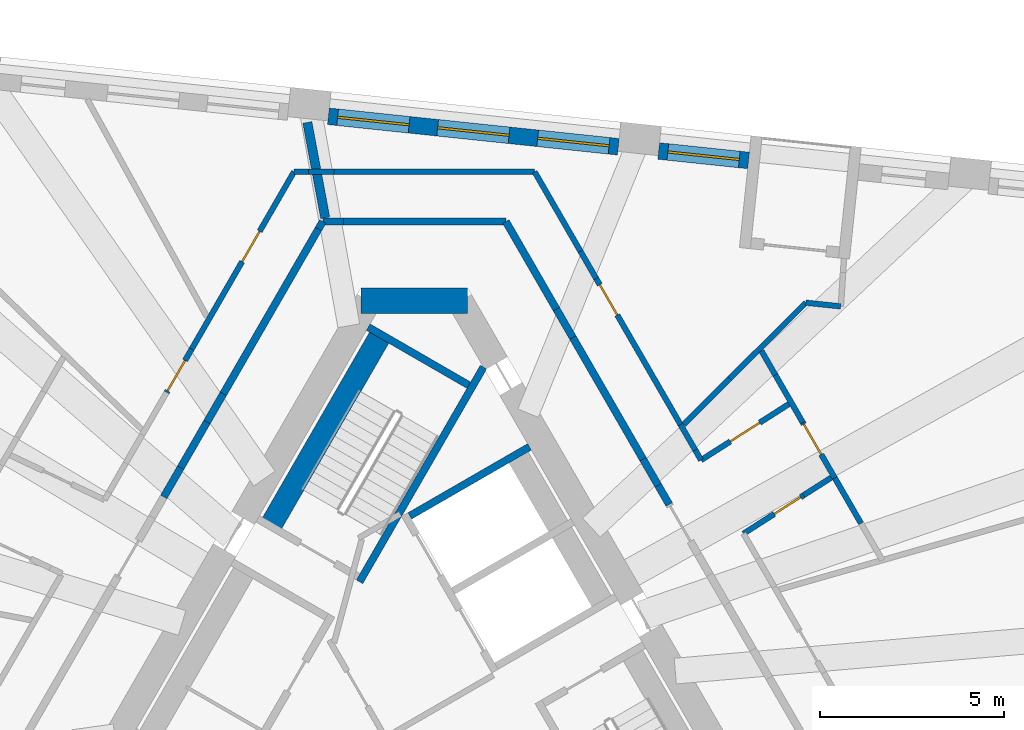
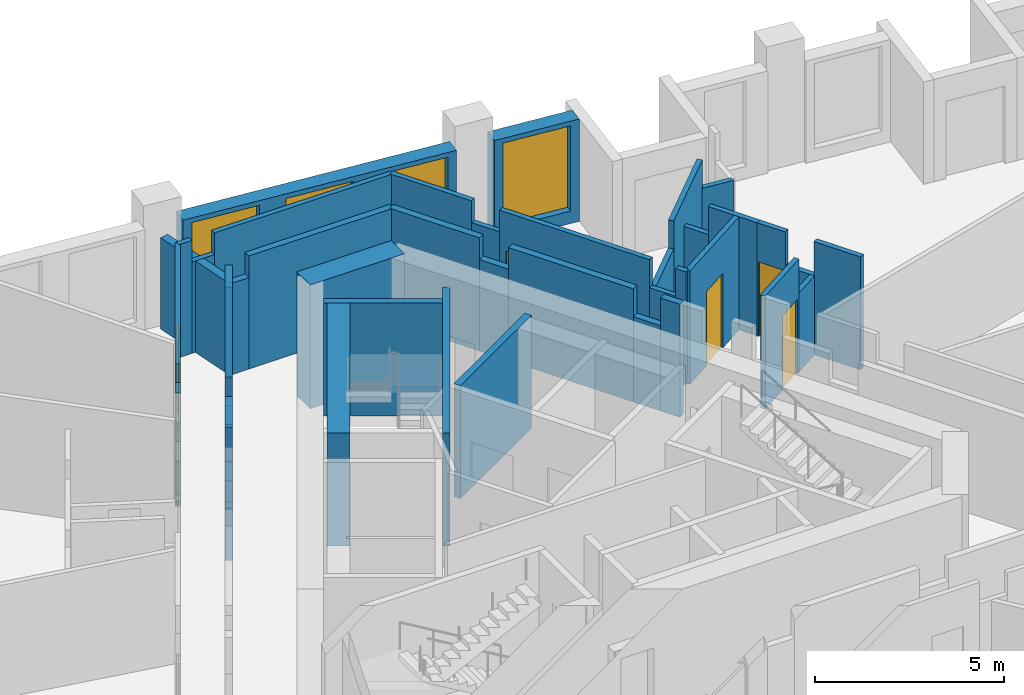
# One storey, part 7 of 11: 40 walls, 6 doors, 4 windows, 10 openings.
"""IFC4 building model written with IfcOpenShell, lengths in metres."""

from ifc_helpers import new_model, si_unit, direction, frame, frame_2d, origin, place, context, subcontext, project, spatial, polyline, rectangle, outline, extrude, material, layer, layer_set, type_object, element, fill, save


model = new_model("IFC4")

# Units and contexts
model_context = context("Model", 3, precision=1e-05, world=origin(), true_north=direction((0.0, 1.0)))
body_context = subcontext(model_context, "Body", "Model", "MODEL_VIEW")
ifc_project = project(units=[si_unit("LENGTHUNIT", "METRE"), si_unit("AREAUNIT", "SQUARE_METRE"), si_unit("VOLUMEUNIT", "CUBIC_METRE"), si_unit("PLANEANGLEUNIT", "RADIAN"), si_unit("MASSUNIT", "GRAM", prefix="KILO")], contexts=[model_context])

# Site, building, storey
site_placement = place(None, origin())
site = spatial("IfcSite", under=ifc_project, at=site_placement, CompositionType="ELEMENT")
building_placement = place(site_placement, origin())
building = spatial("IfcBuilding", under=site, at=building_placement, Name="Tramontana Tower", CompositionType="ELEMENT")
storey_placement = place(building_placement, frame((0.0, 0.0, 257.199951171875)))
storey = spatial("IfcBuildingStorey", under=building, at=storey_placement, Name="L60", CompositionType="ELEMENT", Elevation=257.199951171875)

# Walls
ifc_material_1 = material(Name="Concrete 70 MPa", Category="concrete")
ifc_layer_1 = layer(ifc_material_1, 0.699951171875)
ifc_layer_set_1 = layer_set([ifc_layer_1], Name="Core wall 700 70 MPa")
wall_type_1 = type_object("IfcWallType", Name="Core wall 700 70 MPa", PredefinedType="SHEAR", material=ifc_layer_set_1)
wall_1_placement = place(storey_placement, frame((1.443359375, 10.64990234375, 0.0), z_axis=(0.0, 0.0, 1.0), x_axis=(-1.0, 0.0, 0.0)))
element("IfcWall", 1, at=wall_1_placement, inside=storey, type_object=wall_type_1, Name="Core wall C0 L60", PredefinedType="SHEAR", context=body_context, shape_type="SweptSolid", body=[
    extrude(rectangle(XDim=2.88671875, YDim=0.699951171875, at=frame_2d((1.443359375, 0.0))), origin(), (0.0, 0.0, 1.0), 4.0),
])
ifc_material_2 = material(Name="Blockwork", Category="masonry")
ifc_layer_2 = layer(ifc_material_2, 0.199951171875)
ifc_layer_set_2 = layer_set([ifc_layer_2], Name="ENTRY WALL 200")
wall_type_2 = type_object("IfcWallType", Name="ENTRY WALL 200", PredefinedType="SOLIDWALL", material=ifc_layer_set_2)
wall_2_placement = place(storey_placement, frame((-6.79541015625, 5.329833984375, 0.0), z_axis=(0.0, 0.0, 1.0), x_axis=(0.499975954304, 0.866039286129, 0.0)))
element("IfcWall", 2, at=wall_2_placement, inside=storey, type_object=wall_type_2, Name="Wall v61-ew3-7", PredefinedType="SOLIDWALL", context=body_context, shape_type="SweptSolid", body=[
    extrude(rectangle(XDim=0.9169921875, YDim=0.199951171875, at=frame_2d((0.45849609375, 0.0))), origin(), (0.0, 0.0, 1.0), 2.550048828125),
])
wall_3_placement = place(storey_placement, frame((-6.3369140625, 6.1240234375, 0.0), z_axis=(0.0, 0.0, 1.0), x_axis=(0.499904796234, 0.866080362727, 0.0)))
element("IfcWall", 3, at=wall_3_placement, inside=storey, type_object=wall_type_2, Name="Wall v61-ew3-8", PredefinedType="SOLIDWALL", context=body_context, shape_type="SweptSolid", body=[
    extrude(rectangle(XDim=1.429443359375, YDim=0.199951171875, at=frame_2d((0.71484375, 0.0))), origin(), (0.0, 0.0, 1.0), 3.650146484375),
])
wall_4_placement = place(storey_placement, frame((-5.622314453125, 7.362060546875, 0.0), z_axis=(0.0, 0.0, 1.0), x_axis=(0.500121072013, 0.86595549154, 0.0)))
element("IfcWall", 4, at=wall_4_placement, inside=storey, type_object=wall_type_2, Name="Wall v61-ew3-9", PredefinedType="SOLIDWALL", context=body_context, shape_type="SweptSolid", body=[
    extrude(rectangle(XDim=0.883544921875, YDim=0.199951171875, at=frame_2d((0.44189453125, 0.0))), origin(), (0.0, 0.0, 1.0), 2.75),
])
wall_5_placement = place(storey_placement, frame((-5.180419921875, 8.127197265625, 0.0), z_axis=(0.0, 0.0, 1.0), x_axis=(0.499995433041, 0.866028040503, 0.0)))
element("IfcWall", 5, at=wall_5_placement, inside=storey, type_object=wall_type_2, Name="Wall v61-ew3-10", PredefinedType="SOLIDWALL", context=body_context, shape_type="SweptSolid", body=[
    extrude(rectangle(XDim=5.1611328125, YDim=0.199951171875, at=frame_2d((2.58056640625, 0.0))), origin(), (0.0, 0.0, 1.0), 3.650146484375),
])
wall_6_placement = place(storey_placement, frame((-2.599853515625, 12.596923828125, 0.0), z_axis=(0.0, 0.0, 1.0), x_axis=(0.49972245349, 0.866185586049, 0.0)))
element("IfcWall", 6, at=wall_6_placement, inside=storey, type_object=wall_type_2, Name="Wall v61-ew3-11", PredefinedType="SOLIDWALL", context=body_context, shape_type="SweptSolid", body=[
    extrude(rectangle(XDim=0.234619140625, YDim=0.199951171875, at=frame_2d((0.1171875, 0.0))), origin(), (0.0, 0.0, 1.0), 2.949951171875),
])
wall_7_placement = place(storey_placement, frame((-2.482666015625, 12.800048828125, 0.0), z_axis=(0.0, 0.0, 1.0), x_axis=(1.0, 0.0, 0.0)))
element("IfcWall", 7, at=wall_7_placement, inside=storey, type_object=wall_type_2, Name="Wall v61-ew4-0", PredefinedType="SOLIDWALL", context=body_context, shape_type="SweptSolid", body=[
    extrude(rectangle(XDim=0.5576171875, YDim=0.199951171875, at=frame_2d((0.27880859375, 0.0))), origin(), (0.0, 0.0, 1.0), 2.949951171875),
])
wall_8_placement = place(storey_placement, frame((-1.925048828125, 12.800048828125, 0.0), z_axis=(0.0, 0.0, 1.0), x_axis=(1.0, 0.0, 0.0)))
element("IfcWall", 8, at=wall_8_placement, inside=storey, type_object=wall_type_2, Name="Wall v61-ew4-1", PredefinedType="SOLIDWALL", context=body_context, shape_type="SweptSolid", body=[
    extrude(rectangle(XDim=4.40771484375, YDim=0.199951171875, at=frame_2d((2.203857421875, 0.0))), origin(), (0.0, 0.0, 1.0), 3.650146484375),
])
wall_9_placement = place(storey_placement, frame((2.482666015625, 12.800048828125, 0.0), z_axis=(0.0, 0.0, 1.0), x_axis=(0.499956000529, -0.8660508054, 0.0)))
element("IfcWall", 9, at=wall_9_placement, inside=storey, type_object=wall_type_2, Name="Wall v61-ew5-0", PredefinedType="SOLIDWALL", context=body_context, shape_type="SweptSolid", body=[
    extrude(rectangle(XDim=2.744873046875, YDim=0.199951171875, at=frame_2d((1.37255859375, 0.0))), origin(), (0.0, 0.0, 1.0), 3.650146484375),
])
wall_10_placement = place(storey_placement, frame((3.85498046875, 10.4228515625, 0.0), z_axis=(0.0, 0.0, 1.0), x_axis=(0.500135429527, -0.86594719939, 0.0)))
element("IfcWall", 10, at=wall_10_placement, inside=storey, type_object=wall_type_2, Name="Wall v61-ew5-1", PredefinedType="SOLIDWALL", context=body_context, shape_type="SweptSolid", body=[
    extrude(rectangle(XDim=0.886962890625, YDim=0.199951171875, at=frame_2d((0.443359375, 0.0))), origin(), (0.0, 0.0, 1.0), 2.949951171875),
])
wall_11_placement = place(storey_placement, frame((4.298583984375, 9.65478515625, 0.0), z_axis=(0.0, 0.0, 1.0), x_axis=(0.499997905474, -0.866026613056, 0.0)))
element("IfcWall", 11, at=wall_11_placement, inside=storey, type_object=wall_type_2, Name="Wall v61-ew5-2", PredefinedType="SOLIDWALL", context=body_context, shape_type="SweptSolid", body=[
    extrude(rectangle(XDim=3.810546875, YDim=0.199951171875, at=frame_2d((1.9052734375, 0.0))), origin(), (0.0, 0.0, 1.0), 3.650146484375),
])
wall_12_placement = place(storey_placement, frame((6.203857421875, 6.354736328125, 0.0), z_axis=(0.0, 0.0, 1.0), x_axis=(0.499911126926, -0.866076708598, 0.0)))
element("IfcWall", 12, at=wall_12_placement, inside=storey, type_object=wall_type_2, Name="Wall v61-ew5-3", PredefinedType="SOLIDWALL", context=body_context, shape_type="SweptSolid", body=[
    extrude(rectangle(XDim=0.821533203125, YDim=0.199951171875, at=frame_2d((0.41064453125, 0.0))), origin(), (0.0, 0.0, 1.0), 2.75),
])
wall_13_placement = place(storey_placement, frame((6.614501953125, 5.643310546875, 0.0), z_axis=(0.0, 0.0, 1.0), x_axis=(0.500169019818, -0.865927798153, 0.0)))
element("IfcWall", 13, at=wall_13_placement, inside=storey, type_object=wall_type_2, Name="Wall v61-ew5-4", PredefinedType="SOLIDWALL", context=body_context, shape_type="SweptSolid", body=[
    extrude(rectangle(XDim=0.599365234375, YDim=0.199951171875, at=frame_2d((0.2998046875, 0.0))), origin(), (0.0, 0.0, 1.0), 3.650146484375),
])

# Wall, opening, window
ifc_material_3 = material(Name="Precast concrete 60 MPa", Category="concrete")
ifc_layer_3 = layer(ifc_material_3, 0.449951171875)
ifc_layer_set_3 = layer_set([ifc_layer_3], Name="Precast concrete 60 MPa, 450 mm")
wall_type_3 = type_object("IfcWallType", Name="EW1 Stone-faced precast wall 450", PredefinedType="SOLIDWALL", material=ifc_layer_set_3)
wall_14_placement = place(storey_placement, frame((9.06640625, 14.45654296875, 0.0), z_axis=(0.0, 0.0, 1.0), x_axis=(-0.994521805438, 0.10452931889, 0.0)))
wall_14 = element("IfcWall", 14, at=wall_14_placement, inside=storey, type_object=wall_type_3, Name="External wall L60 face 2 bay 2", PredefinedType="SOLIDWALL", context=body_context, shape_type="SweptSolid", body=[
    extrude(rectangle(XDim=2.452392578125, YDim=0.449951171875, at=frame_2d((1.22607421875, 0.0))), origin(), (0.0, 0.0, 1.0), 3.300048828125),
])
opening_1_placement = place(wall_14_placement, frame((0.251220703125, 0.0, 0.39990234375)))
opening_1 = element("IfcOpeningElement", 15, at=opening_1_placement, cuts=wall_14, Name="Opening M3", PredefinedType="OPENING", context=body_context, shape_type="SweptSolid", body=[
    extrude(rectangle(XDim=1.949951171875, YDim=2.75, at=frame_2d((0.97509765625, 1.375))), frame((0.0, 0.23486328125, 0.0), z_axis=(0.0, -1.0, 0.0), x_axis=(1.0, 0.0, 0.0)), (0.0, 0.0, 1.0), 0.469970703125),
])
ifc_material_4 = material(Name="Aluminum frame, double glazing unit", Category="aluminium")
window_type = type_object("IfcWindowType", Name="M3 Window 1.95 x 2.75", PartitioningType="SINGLE_PANEL", PredefinedType="WINDOW", material=ifc_material_4)
window_1_placement = place(opening_1_placement, origin())
window_1 = element("IfcWindow", 16, at=window_1_placement, inside=storey, type_object=window_type, Name="Window M3 L60 face 2 module 6", OverallHeight=2.75, OverallWidth=1.949951171875, PartitioningType="SINGLE_PANEL", PredefinedType="WINDOW", context=body_context, shape_type="SweptSolid", body=[
    extrude(rectangle(XDim=1.949951171875, YDim=2.75, at=frame_2d((0.97509765625, 1.375))), frame((0.0, 0.030029296875, 0.0), z_axis=(0.0, -1.0, 0.0), x_axis=(1.0, 0.0, 0.0)), (0.0, 0.0, 1.0), 0.06005859375),
])
fill(opening_1, window_1)

# Wall, openings, windows
wall_15_placement = place(storey_placement, frame((5.53369140625, 14.827880859375, 0.0), z_axis=(0.0, 0.0, 1.0), x_axis=(-0.994522865711, 0.104519230663, 0.0)))
wall_15 = element("IfcWall", 17, at=wall_15_placement, inside=storey, type_object=wall_type_3, Name="External wall L60 face 2 bay 3", PredefinedType="SOLIDWALL", context=body_context, shape_type="SweptSolid", body=[
    extrude(rectangle(XDim=7.90673828125, YDim=0.449951171875, at=frame_2d((3.953369140625, 0.0))), origin(), (0.0, 0.0, 1.0), 3.300048828125),
])
opening_2_placement = place(wall_15_placement, frame((0.251220703125, 0.0, 0.39990234375)))
opening_2 = element("IfcOpeningElement", 18, at=opening_2_placement, cuts=wall_15, Name="Opening M3", PredefinedType="OPENING", context=body_context, shape_type="SweptSolid", body=[
    extrude(rectangle(XDim=1.949951171875, YDim=2.75, at=frame_2d((0.97509765625, 1.375))), frame((0.0, 0.23486328125, 0.0), z_axis=(0.0, -1.0, 0.0), x_axis=(1.0, 0.0, 0.0)), (0.0, 0.0, 1.0), 0.469970703125),
])
opening_3_placement = place(wall_15_placement, frame((2.978271484375, 0.0, 0.39990234375)))
opening_3 = element("IfcOpeningElement", 19, at=opening_3_placement, cuts=wall_15, Name="Opening M3", PredefinedType="OPENING", context=body_context, shape_type="SweptSolid", body=[
    extrude(rectangle(XDim=1.949951171875, YDim=2.75, at=frame_2d((0.97509765625, 1.375))), frame((0.0, 0.23486328125, 0.0), z_axis=(0.0, -1.0, 0.0), x_axis=(1.0, 0.0, 0.0)), (0.0, 0.0, 1.0), 0.469970703125),
])
opening_4_placement = place(wall_15_placement, frame((5.70556640625, 0.0, 0.39990234375)))
opening_4 = element("IfcOpeningElement", 20, at=opening_4_placement, cuts=wall_15, Name="Opening M3", PredefinedType="OPENING", context=body_context, shape_type="SweptSolid", body=[
    extrude(rectangle(XDim=1.949951171875, YDim=2.75, at=frame_2d((0.97509765625, 1.375))), frame((0.0, 0.23486328125, 0.0), z_axis=(0.0, -1.0, 0.0), x_axis=(1.0, 0.0, 0.0)), (0.0, 0.0, 1.0), 0.469970703125),
])
window_2_placement = place(opening_2_placement, origin())
window_2 = element("IfcWindow", 21, at=window_2_placement, inside=storey, type_object=window_type, Name="Window M3 L60 face 2 module 7", OverallHeight=2.75, OverallWidth=1.949951171875, PartitioningType="SINGLE_PANEL", PredefinedType="WINDOW", context=body_context, shape_type="SweptSolid", body=[
    extrude(rectangle(XDim=1.949951171875, YDim=2.75, at=frame_2d((0.97509765625, 1.375))), frame((0.0, 0.030029296875, 0.0), z_axis=(0.0, -1.0, 0.0), x_axis=(1.0, 0.0, 0.0)), (0.0, 0.0, 1.0), 0.06005859375),
])
fill(opening_2, window_2)
window_3_placement = place(opening_3_placement, origin())
window_3 = element("IfcWindow", 22, at=window_3_placement, inside=storey, type_object=window_type, Name="Window M3 L60 face 2 module 8", OverallHeight=2.75, OverallWidth=1.949951171875, PartitioningType="SINGLE_PANEL", PredefinedType="WINDOW", context=body_context, shape_type="SweptSolid", body=[
    extrude(rectangle(XDim=1.949951171875, YDim=2.75, at=frame_2d((0.97509765625, 1.375))), frame((0.0, 0.030029296875, 0.0), z_axis=(0.0, -1.0, 0.0), x_axis=(1.0, 0.0, 0.0)), (0.0, 0.0, 1.0), 0.06005859375),
])
fill(opening_3, window_3)
window_4_placement = place(opening_4_placement, origin())
window_4 = element("IfcWindow", 23, at=window_4_placement, inside=storey, type_object=window_type, Name="Window M3 L60 face 2 module 9", OverallHeight=2.75, OverallWidth=1.949951171875, PartitioningType="SINGLE_PANEL", PredefinedType="WINDOW", context=body_context, shape_type="SweptSolid", body=[
    extrude(rectangle(XDim=1.949951171875, YDim=2.75, at=frame_2d((0.97509765625, 1.375))), frame((0.0, 0.030029296875, 0.0), z_axis=(0.0, -1.0, 0.0), x_axis=(1.0, 0.0, 0.0)), (0.0, 0.0, 1.0), 0.06005859375),
])
fill(opening_4, window_4)

# Wall, opening, door
ifc_material_5 = material(Name="Gypsum board partition")
ifc_layer_4 = layer(ifc_material_5, 0.14990234375)
ifc_layer_set_4 = layer_set([ifc_layer_4], Name="PARTITION 150")
wall_type_4 = type_object("IfcWallType", Name="PARTITION 150", PredefinedType="PARTITIONING", material=ifc_layer_set_4)
wall_16_placement = place(storey_placement, frame((-6.717041015625, 8.16552734375, 0.0), z_axis=(0.0, 0.0, 1.0), x_axis=(0.499941024108, 0.866059450854, 0.0)))
wall_16 = element("IfcWall", 24, at=wall_16_placement, inside=storey, type_object=wall_type_4, Name="Wall v61-pw09-4", PredefinedType="PARTITIONING", context=body_context, shape_type="SweptSolid", body=[
    extrude(outline(polyline([(0.0, 0.0), (1.353759765625, 0.0), (1.353759765625, 2.75), (0.497802734375, 2.75), (0.497802734375, 3.650146484375), (0.0, 3.650146484375), (0.0, 0.0)])), frame((0.0, 0.074951171875, 0.0), z_axis=(0.0, -1.0, 0.0), x_axis=(1.0, 0.0, 0.0)), (0.0, 0.0, 1.0), 0.14990234375),
])
opening_5_placement = place(wall_16_placement, frame((0.050048828125, 0.0, 0.0)))
opening_5 = element("IfcOpeningElement", 25, at=opening_5_placement, cuts=wall_16, Name="Opening B6B-04", PredefinedType="OPENING", context=body_context, shape_type="SweptSolid", body=[
    extrude(rectangle(XDim=0.949951171875, YDim=2.39990234375, at=frame_2d((0.47509765625, 1.199951171875))), frame((0.0, 0.0849609375, 0.0), z_axis=(0.0, -1.0, 0.0), x_axis=(1.0, 0.0, 0.0)), (0.0, 0.0, 1.0), 0.169921875),
])
ifc_material_6 = material(Name="Painted timber", Category="wood")
door_type_1 = type_object("IfcDoorType", Name="DOOR ROOM 950", OperationType="SINGLE_SWING_LEFT", PredefinedType="DOOR", material=ifc_material_6)
door_1_placement = place(opening_5_placement, origin())
door_1 = element("IfcDoor", 26, at=door_1_placement, inside=storey, type_object=door_type_1, Name="Door B6B-04", OperationType="SINGLE_SWING_RIGHT", OverallHeight=2.39990234375, OverallWidth=0.949951171875, PredefinedType="DOOR", context=body_context, shape_type="SweptSolid", body=[
    extrude(rectangle(XDim=0.949951171875, YDim=2.39990234375, at=frame_2d((0.47509765625, 1.199951171875))), frame((0.0, 0.02490234375, 0.0), z_axis=(0.0, -1.0, 0.0), x_axis=(1.0, 0.0, 0.0)), (0.0, 0.0, 1.0), 0.050048828125),
])
fill(opening_5, door_1)

wall_17_placement = place(storey_placement, frame((-6.040283203125, 9.337890625, 0.0), z_axis=(0.0, 0.0, 1.0), x_axis=(0.500014044516, 0.866017295027, 0.0)))
wall_17 = element("IfcWall", 27, at=wall_17_placement, inside=storey, type_object=wall_type_4, Name="Wall v61-pw09-5", PredefinedType="PARTITIONING", context=body_context, shape_type="SweptSolid", body=[
    extrude(rectangle(XDim=5.556396484375, YDim=0.14990234375, at=frame_2d((2.7783203125, 0.0))), origin(), (0.0, 0.0, 1.0), 3.650146484375),
])
opening_6_placement = place(wall_17_placement, frame((2.7421875, 0.0, 0.0)))
opening_6 = element("IfcOpeningElement", 28, at=opening_6_placement, cuts=wall_17, Name="Opening B6B-05", PredefinedType="OPENING", context=body_context, shape_type="SweptSolid", body=[
    extrude(rectangle(XDim=0.949951171875, YDim=2.39990234375, at=frame_2d((0.47509765625, 1.199951171875))), frame((0.0, 0.0849609375, 0.0), z_axis=(0.0, -1.0, 0.0), x_axis=(1.0, 0.0, 0.0)), (0.0, 0.0, 1.0), 0.169921875),
])
door_2_placement = place(opening_6_placement, origin())
door_2 = element("IfcDoor", 29, at=door_2_placement, inside=storey, type_object=door_type_1, Name="Door B6B-05", OperationType="SINGLE_SWING_LEFT", OverallHeight=2.39990234375, OverallWidth=0.949951171875, PredefinedType="DOOR", context=body_context, shape_type="SweptSolid", body=[
    extrude(rectangle(XDim=0.949951171875, YDim=2.39990234375, at=frame_2d((0.47509765625, 1.199951171875))), frame((0.0, 0.02490234375, 0.0), z_axis=(0.0, -1.0, 0.0), x_axis=(1.0, 0.0, 0.0)), (0.0, 0.0, 1.0), 0.050048828125),
])
fill(opening_6, door_2)

# Walls
wall_18_placement = place(storey_placement, frame((-3.261962890625, 14.14990234375, 0.0), z_axis=(0.0, 0.0, 1.0), x_axis=(1.0, 0.0, 0.0)))
element("IfcWall", 30, at=wall_18_placement, inside=storey, type_object=wall_type_4, Name="Wall v61-pw15-0", PredefinedType="PARTITIONING", context=body_context, shape_type="SweptSolid", body=[
    extrude(rectangle(XDim=0.398193359375, YDim=0.14990234375, at=frame_2d((0.19921875, 0.0))), origin(), (0.0, 0.0, 1.0), 3.650146484375),
])
wall_19_placement = place(storey_placement, frame((-2.86376953125, 14.14990234375, 0.0), z_axis=(0.0, 0.0, 1.0), x_axis=(1.0, 0.0, 0.0)))
element("IfcWall", 31, at=wall_19_placement, inside=storey, type_object=wall_type_4, Name="Wall v61-pw15-1", PredefinedType="PARTITIONING", context=body_context, shape_type="SweptSolid", body=[
    extrude(rectangle(XDim=0.685546875, YDim=0.14990234375, at=frame_2d((0.3427734375, 0.0))), origin(), (0.0, 0.0, 1.0), 2.949951171875),
])
wall_20_placement = place(storey_placement, frame((-2.17822265625, 14.14990234375, 0.0), z_axis=(0.0, 0.0, 1.0), x_axis=(1.0, 0.0, 0.0)))
element("IfcWall", 32, at=wall_20_placement, inside=storey, type_object=wall_type_4, Name="Wall v61-pw15-2", PredefinedType="PARTITIONING", context=body_context, shape_type="SweptSolid", body=[
    extrude(rectangle(XDim=5.440185546875, YDim=0.14990234375, at=frame_2d((2.72021484375, 0.0))), origin(), (0.0, 0.0, 1.0), 3.650146484375),
])
wall_21_placement = place(storey_placement, frame((3.261962890625, 14.14990234375, 0.0), z_axis=(0.0, 0.0, 1.0), x_axis=(0.500042260233, -0.866001003452, 0.0)))
element("IfcWall", 33, at=wall_21_placement, inside=storey, type_object=wall_type_4, Name="Wall v61-pw19-0", PredefinedType="PARTITIONING", context=body_context, shape_type="SweptSolid", body=[
    extrude(rectangle(XDim=2.489013671875, YDim=0.14990234375, at=frame_2d((1.24462890625, 0.0))), origin(), (0.0, 0.0, 1.0), 3.650146484375),
])
wall_22_placement = place(storey_placement, frame((4.506591796875, 11.994384765625, 0.0), z_axis=(0.0, 0.0, 1.0), x_axis=(0.499944768143, -0.866057289563, 0.0)))
element("IfcWall", 34, at=wall_22_placement, inside=storey, type_object=wall_type_4, Name="Wall v61-pw19-1", PredefinedType="PARTITIONING", context=body_context, shape_type="SweptSolid", body=[
    extrude(rectangle(XDim=0.85546875, YDim=0.14990234375, at=frame_2d((0.427734375, 0.0))), origin(), (0.0, 0.0, 1.0), 2.949951171875),
])

# Wall, opening, door
wall_23_placement = place(storey_placement, frame((4.934326171875, 11.25341796875, 0.0), z_axis=(0.0, 0.0, 1.0), x_axis=(0.500001111708, -0.866024761939, 0.0)))
wall_23 = element("IfcWall", 35, at=wall_23_placement, inside=storey, type_object=wall_type_4, Name="Wall v61-pw19-2", PredefinedType="PARTITIONING", context=body_context, shape_type="SweptSolid", body=[
    extrude(rectangle(XDim=4.57568359375, YDim=0.14990234375, at=frame_2d((2.287841796875, 0.0))), origin(), (0.0, 0.0, 1.0), 3.650146484375),
])
opening_7_placement = place(wall_23_placement, frame((0.1923828125, 0.0, 0.0)))
opening_7 = element("IfcOpeningElement", 36, at=opening_7_placement, cuts=wall_23, Name="Opening B6B-19", PredefinedType="OPENING", context=body_context, shape_type="SweptSolid", body=[
    extrude(rectangle(XDim=0.949951171875, YDim=2.39990234375, at=frame_2d((0.47509765625, 1.199951171875))), frame((0.0, 0.0849609375, 0.0), z_axis=(0.0, -1.0, 0.0), x_axis=(1.0, 0.0, 0.0)), (0.0, 0.0, 1.0), 0.169921875),
])
door_3_placement = place(opening_7_placement, origin())
door_3 = element("IfcDoor", 37, at=door_3_placement, inside=storey, type_object=door_type_1, Name="Door B6B-19", OperationType="SINGLE_SWING_LEFT", OverallHeight=2.39990234375, OverallWidth=0.949951171875, PredefinedType="DOOR", context=body_context, shape_type="SweptSolid", body=[
    extrude(rectangle(XDim=0.949951171875, YDim=2.39990234375, at=frame_2d((0.47509765625, 1.199951171875))), frame((0.0, 0.02490234375, 0.0), z_axis=(0.0, -1.0, 0.0), x_axis=(1.0, 0.0, 0.0)), (0.0, 0.0, 1.0), 0.050048828125),
])
fill(opening_7, door_3)

# Walls
wall_24_placement = place(storey_placement, frame((7.22216796875, 7.290771484375, 0.0), z_axis=(0.0, 0.0, 1.0), x_axis=(0.500032254052, -0.866006781098, 0.0)))
element("IfcWall", 38, at=wall_24_placement, inside=storey, type_object=wall_type_4, Name="Wall v61-pw19-3", PredefinedType="PARTITIONING", context=body_context, shape_type="SweptSolid", body=[
    extrude(rectangle(XDim=0.7958984375, YDim=0.14990234375, at=frame_2d((0.39794921875, 0.0))), origin(), (0.0, 0.0, 1.0), 2.75),
])
wall_25_placement = place(storey_placement, frame((7.6201171875, 6.6015625, 0.0), z_axis=(0.0, 0.0, 1.0), x_axis=(0.500303403544, -0.865850162789, 0.0)))
element("IfcWall", 39, at=wall_25_placement, inside=storey, type_object=wall_type_4, Name="Wall v61-pw19-4", PredefinedType="PARTITIONING", context=body_context, shape_type="SweptSolid", body=[
    extrude(rectangle(XDim=0.315185546875, YDim=0.14990234375, at=frame_2d((0.15771484375, 0.0))), origin(), (0.0, 0.0, 1.0), 3.650146484375),
])
wall_26_placement = place(storey_placement, frame((7.307373046875, 7.293212890625, 0.0), z_axis=(0.0, 0.0, 1.0), x_axis=(0.707867966079, 0.706344776011, 0.0)))
element("IfcWall", 40, at=wall_26_placement, inside=storey, type_object=wall_type_4, Name="Wall v61-pw22-0", PredefinedType="PARTITIONING", context=body_context, shape_type="SweptSolid", body=[
    extrude(rectangle(XDim=1.76318359375, YDim=0.14990234375, at=frame_2d((0.881591796875, 0.0))), origin(), (0.0, 0.0, 1.0), 2.75),
])
wall_27_placement = place(storey_placement, frame((8.555419921875, 8.53857421875, 0.0), z_axis=(0.0, 0.0, 1.0), x_axis=(0.707776468702, 0.706436458821, 0.0)))
element("IfcWall", 41, at=wall_27_placement, inside=storey, type_object=wall_type_4, Name="Wall v61-pw22-1", PredefinedType="PARTITIONING", context=body_context, shape_type="SweptSolid", body=[
    extrude(rectangle(XDim=2.9150390625, YDim=0.14990234375, at=frame_2d((1.45751953125, 0.0))), origin(), (0.0, 0.0, 1.0), 3.650146484375),
])

# Wall, opening, door
wall_28_placement = place(storey_placement, frame((7.77783203125, 6.32861328125, 0.0), z_axis=(0.0, 0.0, 1.0), x_axis=(0.842949702155, 0.53799237879, 0.0)))
wall_28 = element("IfcWall", 42, at=wall_28_placement, inside=storey, type_object=wall_type_4, Name="Wall v61-pw23", PredefinedType="PARTITIONING", context=body_context, shape_type="SweptSolid", body=[
    extrude(rectangle(XDim=2.82763671875, YDim=0.14990234375, at=frame_2d((1.413818359375, 0.0))), origin(), (0.0, 0.0, 1.0), 3.650146484375),
])
opening_8_placement = place(wall_28_placement, frame((0.93896484375, 0.0, 0.0)))
opening_8 = element("IfcOpeningElement", 43, at=opening_8_placement, cuts=wall_28, Name="Opening B6B-14", PredefinedType="OPENING", context=body_context, shape_type="SweptSolid", body=[
    extrude(rectangle(XDim=0.949951171875, YDim=2.39990234375, at=frame_2d((0.47509765625, 1.199951171875))), frame((0.0, 0.0849609375, 0.0), z_axis=(0.0, -1.0, 0.0), x_axis=(1.0, 0.0, 0.0)), (0.0, 0.0, 1.0), 0.169921875),
])
door_4_placement = place(opening_8_placement, origin())
door_4 = element("IfcDoor", 44, at=door_4_placement, inside=storey, type_object=door_type_1, Name="Door B6B-14", OperationType="SINGLE_SWING_RIGHT", OverallHeight=2.39990234375, OverallWidth=0.949951171875, PredefinedType="DOOR", context=body_context, shape_type="SweptSolid", body=[
    extrude(rectangle(XDim=0.949951171875, YDim=2.39990234375, at=frame_2d((0.47509765625, 1.199951171875))), frame((0.0, 0.02490234375, 0.0), z_axis=(0.0, -1.0, 0.0), x_axis=(1.0, 0.0, 0.0)), (0.0, 0.0, 1.0), 0.050048828125),
])
fill(opening_8, door_4)

# Walls
wall_29_placement = place(storey_placement, frame((9.415771484375, 9.291259765625, 0.0), z_axis=(0.0, 0.0, 1.0), x_axis=(0.500132351176, -0.865948977311, 0.0)))
element("IfcWall", 45, at=wall_29_placement, inside=storey, type_object=wall_type_4, Name="Wall v61-pw25-0", PredefinedType="PARTITIONING", context=body_context, shape_type="SweptSolid", body=[
    extrude(rectangle(XDim=0.756103515625, YDim=0.14990234375, at=frame_2d((0.3779296875, 0.0))), origin(), (0.0, 0.0, 1.0), 2.75),
])
wall_30_placement = place(storey_placement, frame((9.7939453125, 8.636474609375, 0.0), z_axis=(0.0, 0.0, 1.0), x_axis=(0.500039709243, -0.866002476428, 0.0)))
element("IfcWall", 46, at=wall_30_placement, inside=storey, type_object=wall_type_4, Name="Wall v61-pw25-1", PredefinedType="PARTITIONING", context=body_context, shape_type="SweptSolid", body=[
    extrude(rectangle(XDim=1.48779296875, YDim=0.14990234375, at=frame_2d((0.743896484375, 0.0))), origin(), (0.0, 0.0, 1.0), 3.650146484375),
])

# Wall, opening, door
wall_31_placement = place(storey_placement, frame((10.537841796875, 7.34814453125, 0.0), z_axis=(0.0, 0.0, 1.0), x_axis=(0.499893013529, -0.866087163642, 0.0)))
wall_31 = element("IfcWall", 47, at=wall_31_placement, inside=storey, type_object=wall_type_4, Name="Wall v61-pw25-2", PredefinedType="PARTITIONING", context=body_context, shape_type="SweptSolid", body=[
    extrude(outline(polyline([(0.0, 0.0), (1.73486328125, 0.0), (1.734619140625, 2.550048828125), (0.859619140625, 2.550048828125), (0.859619140625, 3.650146484375), (0.0, 3.650146484375), (0.0, 0.0)])), frame((0.0, 0.074951171875, 0.0), z_axis=(0.0, -1.0, 0.0), x_axis=(1.0, 0.0, 0.0)), (0.0, 0.0, 1.0), 0.14990234375),
])
opening_9_placement = place(wall_31_placement, frame((0.050048828125, 0.0, 0.0)))
opening_9 = element("IfcOpeningElement", 48, at=opening_9_placement, cuts=wall_31, Name="Opening B6B-16", PredefinedType="OPENING", context=body_context, shape_type="SweptSolid", body=[
    extrude(rectangle(XDim=0.949951171875, YDim=2.39990234375, at=frame_2d((0.47509765625, 1.199951171875))), frame((0.0, 0.0849609375, 0.0), z_axis=(0.0, -1.0, 0.0), x_axis=(1.0, 0.0, 0.0)), (0.0, 0.0, 1.0), 0.169921875),
])
door_5_placement = place(opening_9_placement, origin())
door_5 = element("IfcDoor", 49, at=door_5_placement, inside=storey, type_object=door_type_1, Name="Door B6B-16", OperationType="SINGLE_SWING_RIGHT", OverallHeight=2.39990234375, OverallWidth=0.949951171875, PredefinedType="DOOR", context=body_context, shape_type="SweptSolid", body=[
    extrude(rectangle(XDim=0.949951171875, YDim=2.39990234375, at=frame_2d((0.47509765625, 1.199951171875))), frame((0.0, 0.02490234375, 0.0), z_axis=(0.0, -1.0, 0.0), x_axis=(1.0, 0.0, 0.0)), (0.0, 0.0, 1.0), 0.050048828125),
])
fill(opening_9, door_5)

# Walls
wall_32_placement = place(storey_placement, frame((11.405029296875, 5.845703125, 0.0), z_axis=(0.0, 0.0, 1.0), x_axis=(0.500103350459, -0.865965726146, 0.0)))
element("IfcWall", 50, at=wall_32_placement, inside=storey, type_object=wall_type_4, Name="Wall v61-pw25-3", PredefinedType="PARTITIONING", context=body_context, shape_type="SweptSolid", body=[
    extrude(rectangle(XDim=1.424072265625, YDim=0.14990234375, at=frame_2d((0.7119140625, 0.0))), origin(), (0.0, 0.0, 1.0), 3.650146484375),
])
wall_33_placement = place(storey_placement, frame((10.618896484375, 10.597900390625, 0.0), z_axis=(0.0, 0.0, 1.0), x_axis=(0.994522285292, -0.104524753323, 0.0)))
element("IfcWall", 51, at=wall_33_placement, inside=storey, type_object=wall_type_4, Name="Wall v61-pw30-0", PredefinedType="PARTITIONING", context=body_context, shape_type="SweptSolid", body=[
    extrude(rectangle(XDim=0.952880859375, YDim=0.14990234375, at=frame_2d((0.4765625, 0.0))), origin(), (0.0, 0.0, 1.0), 2.75),
])
wall_34_placement = place(storey_placement, frame((11.3125, 5.856201171875, 0.0), z_axis=(0.0, 0.0, 1.0), x_axis=(-0.842909065223, -0.538056045189, 0.0)))
element("IfcWall", 52, at=wall_34_placement, inside=storey, type_object=wall_type_4, Name="Wall v61-pw35-0", PredefinedType="PARTITIONING", context=body_context, shape_type="SweptSolid", body=[
    extrude(rectangle(XDim=0.896240234375, YDim=0.14990234375, at=frame_2d((0.4482421875, 0.0))), origin(), (0.0, 0.0, 1.0), 2.550048828125),
])

# Wall, opening, door
wall_35_placement = place(storey_placement, frame((10.55712890625, 5.3740234375, 0.0), z_axis=(0.0, 0.0, 1.0), x_axis=(-0.842911232895, -0.538052649338, 0.0)))
wall_35 = element("IfcWall", 53, at=wall_35_placement, inside=storey, type_object=wall_type_4, Name="Wall v61-pw35-1", PredefinedType="PARTITIONING", context=body_context, shape_type="SweptSolid", body=[
    extrude(rectangle(XDim=1.931640625, YDim=0.14990234375, at=frame_2d((0.9658203125, 0.0))), origin(), (0.0, 0.0, 1.0), 3.650146484375),
])
opening_10_placement = place(wall_35_placement, frame((0.092529296875, 0.0, 0.0)))
opening_10 = element("IfcOpeningElement", 54, at=opening_10_placement, cuts=wall_35, Name="Opening B6B-15", PredefinedType="OPENING", context=body_context, shape_type="SweptSolid", body=[
    extrude(rectangle(XDim=0.85009765625, YDim=2.39990234375, at=frame_2d((0.425048828125, 1.199951171875))), frame((0.0, 0.0849609375, 0.0), z_axis=(0.0, -1.0, 0.0), x_axis=(1.0, 0.0, 0.0)), (0.0, 0.0, 1.0), 0.169921875),
])
ifc_material_7 = material(Name="Painted timber", Category="wood")
door_type_2 = type_object("IfcDoorType", Name="DOOR BATH 850", OperationType="SINGLE_SWING_LEFT", PredefinedType="DOOR", material=ifc_material_7)
door_6_placement = place(opening_10_placement, origin())
door_6 = element("IfcDoor", 55, at=door_6_placement, inside=storey, type_object=door_type_2, Name="Door B6B-15", OperationType="SINGLE_SWING_LEFT", OverallHeight=2.39990234375, OverallWidth=0.85009765625, PredefinedType="DOOR", context=body_context, shape_type="SweptSolid", body=[
    extrude(rectangle(XDim=0.85009765625, YDim=2.39990234375, at=frame_2d((0.425048828125, 1.199951171875))), frame((0.0, 0.02490234375, 0.0), z_axis=(0.0, -1.0, 0.0), x_axis=(1.0, 0.0, 0.0)), (0.0, 0.0, 1.0), 0.050048828125),
])
fill(opening_10, door_6)

# Walls
ifc_material_8 = material(Name="Blockwork", Category="masonry")
ifc_layer_5 = layer(ifc_material_8, 0.25)
ifc_layer_set_5 = layer_set([ifc_layer_5], Name="PARTY WALL 250")
wall_type_5 = type_object("IfcWallType", Name="PARTY WALL 250", PredefinedType="SOLIDWALL", material=ifc_layer_set_5)
wall_36_placement = place(storey_placement, frame((-2.900390625, 15.488037109375, 0.0), z_axis=(0.0, 0.0, 1.0), x_axis=(0.184047809229, -0.982917292511, 0.0)))
element("IfcWall", 56, at=wall_36_placement, inside=storey, type_object=wall_type_5, Name="Wall v61-pw16-0", PredefinedType="SOLIDWALL", context=body_context, shape_type="SweptSolid", body=[
    extrude(rectangle(XDim=2.633056640625, YDim=0.25, at=frame_2d((1.31640625, 0.0))), origin(), (0.0, 0.0, 1.0), 2.949951171875),
])
ifc_material_9 = material(Name="Concrete 70 MPa", Category="concrete")
ifc_layer_6 = layer(ifc_material_9, 0.60009765625)
ifc_layer_set_6 = layer_set([ifc_layer_6], Name="Concrete 70 MPa, 600 mm")
wall_type_6 = type_object("IfcWallType", Name="RC SHAFT BACK WALL 600", PredefinedType="SOLIDWALL", material=ifc_layer_set_6)
wall_37_placement = place(storey_placement, frame((-0.85302734375, 9.822509765625, 0.0), z_axis=(0.0, 0.0, 1.0), x_axis=(-0.500009909098, -0.866019682689, 0.0)))
element("IfcWall", 57, at=wall_37_placement, inside=storey, type_object=wall_type_6, Name="Wall st1-back", PredefinedType="SOLIDWALL", context=body_context, shape_type="SweptSolid", body=[
    extrude(rectangle(XDim=6.199951171875, YDim=0.60009765625, at=frame_2d((3.10009765625, 0.0))), origin(), (0.0, 0.0, 1.0), 3.650146484375),
])
ifc_material_10 = material(Name="Concrete 70 MPa", Category="concrete")
ifc_layer_7 = layer(ifc_material_10, 0.199951171875)
ifc_layer_set_7 = layer_set([ifc_layer_7], Name="Concrete 70 MPa, 200 mm")
wall_type_7 = type_object("IfcWallType", Name="RC STAIR AND SHAFT WALL 200", PredefinedType="SOLIDWALL", material=ifc_layer_set_7)
wall_38_placement = place(storey_placement, frame((1.87646484375, 8.85009765625, 0.0), z_axis=(0.0, 0.0, 1.0), x_axis=(-0.499998042495, -0.866026533947, 0.0)))
element("IfcWall", 58, at=wall_38_placement, inside=storey, type_object=wall_type_7, Name="Wall st1-front", PredefinedType="SOLIDWALL", context=body_context, shape_type="SweptSolid", body=[
    extrude(rectangle(XDim=6.72265625, YDim=0.199951171875, at=frame_2d((3.361328125, 0.0))), origin(), (0.0, 0.0, 1.0), 3.650146484375),
])
wall_39_placement = place(storey_placement, frame((1.478515625, 8.36083984375, 0.0), z_axis=(0.0, 0.0, 1.0), x_axis=(-0.866035871367, 0.499981869177, 0.0)))
element("IfcWall", 59, at=wall_39_placement, inside=storey, type_object=wall_type_7, Name="Wall st1-far", PredefinedType="SOLIDWALL", context=body_context, shape_type="SweptSolid", body=[
    extrude(rectangle(XDim=3.14990234375, YDim=0.199951171875, at=frame_2d((1.574951171875, 0.0))), origin(), (0.0, 0.0, 1.0), 3.650146484375),
])
wall_40_placement = place(storey_placement, frame((-0.123046875, 4.813232421875, 0.0), z_axis=(0.0, 0.0, 1.0), x_axis=(0.866022959057, 0.500004234368, 0.0)))
element("IfcWall", 60, at=wall_40_placement, inside=storey, type_object=wall_type_7, Name="Wall row2-side2", PredefinedType="SOLIDWALL", context=body_context, shape_type="SweptSolid", body=[
    extrude(rectangle(XDim=3.75, YDim=0.199951171875, at=frame_2d((1.875, 0.0))), origin(), (0.0, 0.0, 1.0), 3.650146484375),
])

save(model, "model.ifc")
